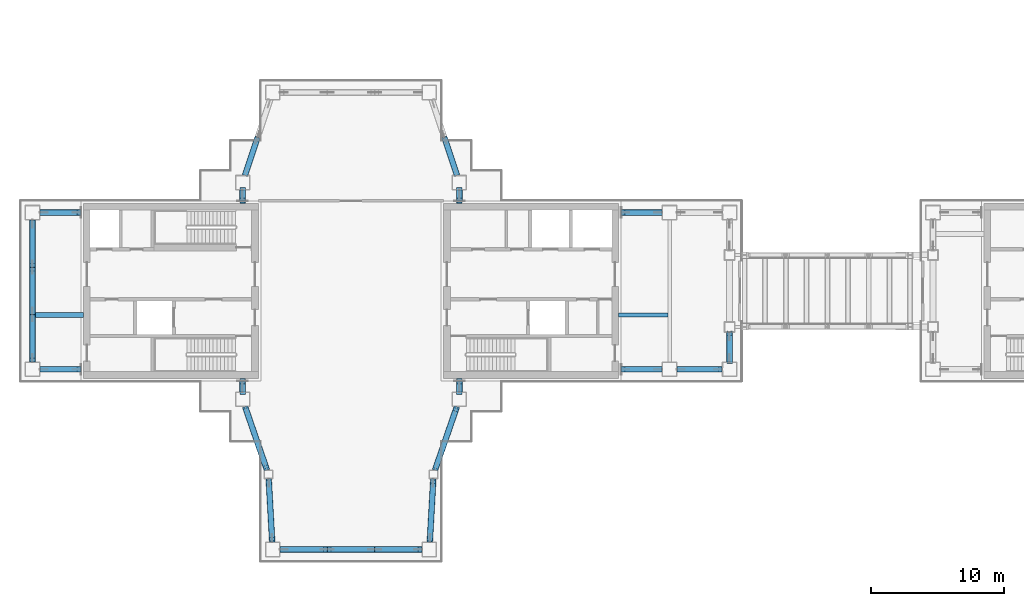
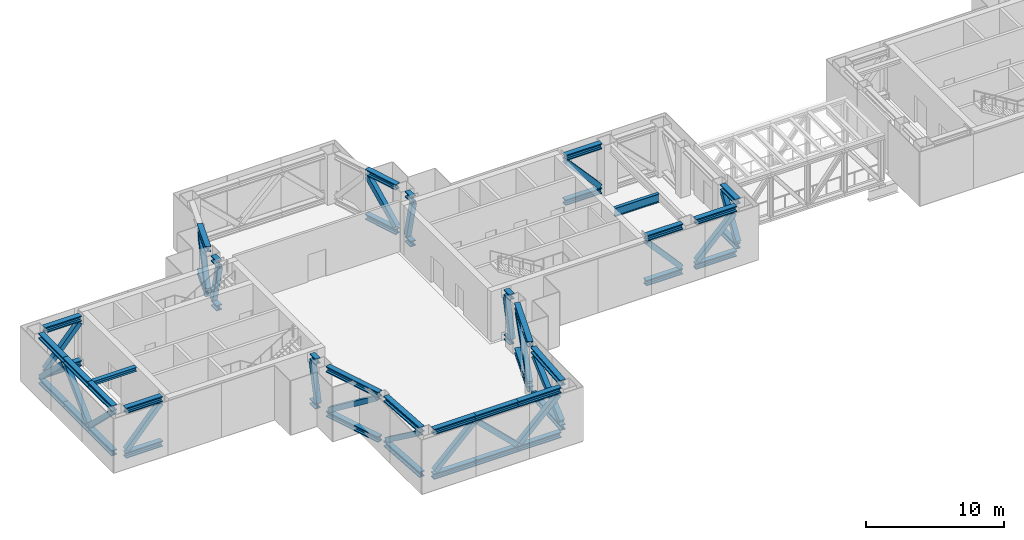
# One storey, part 3 of 21: 66 members, 2 beams.
"""IFC4 building model written with IfcOpenShell, lengths in metres."""

from ifc_helpers import new_model, si_unit, direction, frame, origin, origin_2d, place, context, subcontext, project, spatial, hollow_rectangle, i_section, extrude, material, material_profile, profile_set, type_object, element, save


model = new_model("IFC4")

# Units and contexts
model_context = context("Model", 3, precision=1e-05, world=origin(), true_north=direction((0.0, 1.0)))
body_context = subcontext(model_context, "Body", "Model", "MODEL_VIEW")
ifc_project = project(units=[si_unit("LENGTHUNIT", "METRE"), si_unit("AREAUNIT", "SQUARE_METRE"), si_unit("VOLUMEUNIT", "CUBIC_METRE"), si_unit("PLANEANGLEUNIT", "RADIAN"), si_unit("MASSUNIT", "GRAM", prefix="KILO")], contexts=[model_context])

# Site, building, storey
site_placement = place(None, origin())
site = spatial("IfcSite", under=ifc_project, at=site_placement, CompositionType="ELEMENT")
building_placement = place(site_placement, origin())
building = spatial("IfcBuilding", under=site, at=building_placement, Name="Shamsa Quay Exchange Towers", CompositionType="ELEMENT")
storey_placement = place(building_placement, frame((0.0, 0.0, 177.89990234375)))
storey = spatial("IfcBuildingStorey", under=building, at=storey_placement, Name="L42", CompositionType="ELEMENT", Elevation=177.89990234375)

# Members
ifc_material = material(Name="Steel S355", Category="steel")
ifc_material_profile_1 = material_profile(ifc_material, i_section(OverallWidth=0.43212890625, OverallDepth=0.497802734375, WebThickness=0.0556640625, FlangeThickness=0.0888671875, at=origin_2d()), Name="W14x500")
ifc_profile_set_1 = profile_set([ifc_material_profile_1], Name="Steel S355")
member_type_1 = type_object("IfcMemberType", Name="Belt chord W14x500", PredefinedType="CHORD", material=ifc_profile_set_1)
for number, where, z_axis, x_axis, name in (
    (1, (-41.685546875, -8.675048828125, 4.201171875), (0.325644702395, -0.945492214565, 0.0), (0.945492214565, 0.325644702395, 0.0), "Belt truss chord T1 L42 3"),
    (2, (-41.685546875, -8.675048828125, 0.2490234375), (0.325644702395, -0.945492214565, 0.0), (0.945492214565, 0.325644702395, 0.0), "Belt truss chord T1 L42 3"),
):
    element("IfcMember", number, at=place(storey_placement, frame(where, z_axis=z_axis, x_axis=x_axis)), inside=storey, type_object=member_type_1, Name=name, PredefinedType="CHORD", context=body_context, shape_type="SweptSolid", body=[
        extrude(i_section(OverallWidth=0.43212890625, OverallDepth=0.497802734375, WebThickness=0.0556640625, FlangeThickness=0.0888671875, at=origin_2d()), origin(), (0.0, 0.0, 1.0), 5.02392578125),
    ])
for number, where, z_axis, x_axis, name in (
    (3, (-39.91943359375, -14.074951171875, 4.201171875), (0.055475704174, -0.998460037381, 0.0), (0.998460037381, 0.055475704174, 0.0), "Belt truss chord T1 L42 4"),
    (4, (-39.91943359375, -14.074951171875, 0.2490234375), (0.055475704174, -0.998460037381, 0.0), (0.998460037381, 0.055475704174, 0.0), "Belt truss chord T1 L42 4"),
):
    element("IfcMember", number, at=place(storey_placement, frame(where, z_axis=z_axis, x_axis=x_axis)), inside=storey, type_object=member_type_1, Name=name, PredefinedType="CHORD", context=body_context, shape_type="SweptSolid", body=[
        extrude(i_section(OverallWidth=0.43212890625, OverallDepth=0.497802734375, WebThickness=0.0556640625, FlangeThickness=0.0888671875, at=origin_2d()), origin(), (0.0, 0.0, 1.0), 4.75732421875),
    ])
for number, where, z_axis, x_axis, name in (
    (5, (-39.074951171875, -19.375, 4.201171875), (1.0, 0.0, 0.0), (0.0, 1.0, 0.0), "Belt truss chord T1 L42 5"),
    (6, (-39.074951171875, -19.375, 0.2490234375), (1.0, 0.0, 0.0), (0.0, 1.0, 0.0), "Belt truss chord T1 L42 5"),
):
    element("IfcMember", number, at=place(storey_placement, frame(where, z_axis=z_axis, x_axis=x_axis)), inside=storey, type_object=member_type_1, Name=name, PredefinedType="CHORD", context=body_context, shape_type="SweptSolid", body=[
        extrude(i_section(OverallWidth=0.43212890625, OverallDepth=0.497802734375, WebThickness=0.0556640625, FlangeThickness=0.0888671875, at=origin_2d()), origin(), (0.0, 0.0, 1.0), 3.550048828125),
    ])
for number, where, z_axis, x_axis, name in (
    (7, (-35.52490234375, -19.375, 4.201171875), (1.0, 0.0, 0.0), (0.0, 1.0, 0.0), "Belt truss chord T1 L42 5"),
    (8, (-35.52490234375, -19.375, 0.2490234375), (1.0, 0.0, 0.0), (0.0, 1.0, 0.0), "Belt truss chord T1 L42 5"),
):
    element("IfcMember", number, at=place(storey_placement, frame(where, z_axis=z_axis, x_axis=x_axis)), inside=storey, type_object=member_type_1, Name=name, PredefinedType="CHORD", context=body_context, shape_type="SweptSolid", body=[
        extrude(i_section(OverallWidth=0.43212890625, OverallDepth=0.497802734375, WebThickness=0.0556640625, FlangeThickness=0.0888671875, at=origin_2d()), origin(), (0.0, 0.0, 1.0), 3.5498046875),
    ])
for number, where, z_axis, x_axis, name in (
    (9, (-31.97509765625, -19.375, 4.201171875), (1.0, 0.0, 0.0), (0.0, 1.0, 0.0), "Belt truss chord T1 L42 5"),
    (10, (-31.97509765625, -19.375, 0.2490234375), (1.0, 0.0, 0.0), (0.0, 1.0, 0.0), "Belt truss chord T1 L42 5"),
):
    element("IfcMember", number, at=place(storey_placement, frame(where, z_axis=z_axis, x_axis=x_axis)), inside=storey, type_object=member_type_1, Name=name, PredefinedType="CHORD", context=body_context, shape_type="SweptSolid", body=[
        extrude(i_section(OverallWidth=0.43212890625, OverallDepth=0.497802734375, WebThickness=0.0556640625, FlangeThickness=0.0888671875, at=origin_2d()), origin(), (0.0, 0.0, 1.0), 3.550048828125),
    ])
for number, where, z_axis, x_axis, name in (
    (11, (-27.844482421875, -18.824951171875, 4.201171875), (0.055475704174, 0.998460037381, 0.0), (-0.998460037381, 0.055475704174, 0.0), "Belt truss chord T1 L42 6"),
    (12, (-27.844482421875, -18.824951171875, 0.2490234375), (0.055475704174, 0.998460037381, 0.0), (-0.998460037381, 0.055475704174, 0.0), "Belt truss chord T1 L42 6"),
):
    element("IfcMember", number, at=place(storey_placement, frame(where, z_axis=z_axis, x_axis=x_axis)), inside=storey, type_object=member_type_1, Name=name, PredefinedType="CHORD", context=body_context, shape_type="SweptSolid", body=[
        extrude(i_section(OverallWidth=0.43212890625, OverallDepth=0.497802734375, WebThickness=0.0556640625, FlangeThickness=0.0888671875, at=origin_2d()), origin(), (0.0, 0.0, 1.0), 4.75732421875),
    ])
for number, where, z_axis, x_axis, name in (
    (13, (-27.450439453125, -13.425048828125, 4.201171875), (0.325644702395, 0.945492214565, 0.0), (-0.945492214565, 0.325644702395, 0.0), "Belt truss chord T1 L42 7"),
    (14, (-27.450439453125, -13.425048828125, 0.2490234375), (0.325644702395, 0.945492214565, 0.0), (-0.945492214565, 0.325644702395, 0.0), "Belt truss chord T1 L42 7"),
):
    element("IfcMember", number, at=place(storey_placement, frame(where, z_axis=z_axis, x_axis=x_axis)), inside=storey, type_object=member_type_1, Name=name, PredefinedType="CHORD", context=body_context, shape_type="SweptSolid", body=[
        extrude(i_section(OverallWidth=0.43212890625, OverallDepth=0.497802734375, WebThickness=0.0556640625, FlangeThickness=0.0888671875, at=origin_2d()), origin(), (0.0, 0.0, 1.0), 5.02392578125),
    ])
for number, where, z_axis, x_axis, name in (
    (15, (-9.324951171875, -5.875, 4.201171875), (1.0, 0.0, 0.0), (0.0, 1.0, 0.0), "Belt truss chord T1 L42 10"),
    (16, (-9.324951171875, -5.875, 0.2490234375), (1.0, 0.0, 0.0), (0.0, 1.0, 0.0), "Belt truss chord T1 L42 10"),
):
    element("IfcMember", number, at=place(storey_placement, frame(where, z_axis=z_axis, x_axis=x_axis)), inside=storey, type_object=member_type_1, Name=name, PredefinedType="CHORD", context=body_context, shape_type="SweptSolid", body=[
        extrude(i_section(OverallWidth=0.43212890625, OverallDepth=0.497802734375, WebThickness=0.0556640625, FlangeThickness=0.0888671875, at=origin_2d()), origin(), (0.0, 0.0, 1.0), 3.39990234375),
    ])
for number, where, z_axis, x_axis, name in (
    (17, (-5.375, -5.324951171875, 4.201171875), (0.0, 1.0, 0.0), (-1.0, 0.0, 0.0), "Belt truss chord T1 L42 11"),
    (18, (-5.375, -5.324951171875, 0.2490234375), (0.0, 1.0, 0.0), (-1.0, 0.0, 0.0), "Belt truss chord T1 L42 11"),
):
    element("IfcMember", number, at=place(storey_placement, frame(where, z_axis=z_axis, x_axis=x_axis)), inside=storey, type_object=member_type_1, Name=name, PredefinedType="CHORD", context=body_context, shape_type="SweptSolid", body=[
        extrude(i_section(OverallWidth=0.43212890625, OverallDepth=0.497802734375, WebThickness=0.0556640625, FlangeThickness=0.0888671875, at=origin_2d()), origin(), (0.0, 0.0, 1.0), 2.224853515625),
    ])
for number, where, z_axis, x_axis, name in (
    (19, (-25.808349609375, 8.675048828125, 4.201171875), (-0.316227766017, 0.948683298051, 0.0), (-0.948683298051, -0.316227766017, 0.0), "Belt truss chord T1 L42 17"),
    (20, (-25.808349609375, 8.675048828125, 0.2490234375), (-0.316227766017, 0.948683298051, 0.0), (-0.948683298051, -0.316227766017, 0.0), "Belt truss chord T1 L42 17"),
    (21, (-40.75, 11.5, 4.201171875), (-0.316227766017, -0.948683298051, 0.0), (0.948683298051, -0.316227766017, 0.0), "Belt truss chord T1 L42 19"),
    (22, (-40.75, 11.5, 0.2490234375), (-0.316227766017, -0.948683298051, 0.0), (0.948683298051, -0.316227766017, 0.0), "Belt truss chord T1 L42 19"),
):
    element("IfcMember", number, at=place(storey_placement, frame(where, z_axis=z_axis, x_axis=x_axis)), inside=storey, type_object=member_type_1, Name=name, PredefinedType="CHORD", context=body_context, shape_type="SweptSolid", body=[
        extrude(i_section(OverallWidth=0.43212890625, OverallDepth=0.497802734375, WebThickness=0.0556640625, FlangeThickness=0.0888671875, at=origin_2d()), origin(), (0.0, 0.0, 1.0), 2.977783203125),
    ])
for number, where, z_axis, x_axis, name in (
    (23, (-57.625, 5.324951171875, 4.201171875), (0.0, -1.0, 0.0), (1.0, 0.0, 0.0), "Belt truss chord T1 L42 22"),
    (24, (-57.625, 5.324951171875, 0.2490234375), (0.0, -1.0, 0.0), (1.0, 0.0, 0.0), "Belt truss chord T1 L42 22"),
):
    element("IfcMember", number, at=place(storey_placement, frame(where, z_axis=z_axis, x_axis=x_axis)), inside=storey, type_object=member_type_1, Name=name, PredefinedType="CHORD", context=body_context, shape_type="SweptSolid", body=[
        extrude(i_section(OverallWidth=0.43212890625, OverallDepth=0.497802734375, WebThickness=0.0556640625, FlangeThickness=0.0888671875, at=origin_2d()), origin(), (0.0, 0.0, 1.0), 3.550048828125),
    ])
for number, where, z_axis, x_axis, name in (
    (25, (-57.625, 1.77490234375, 4.201171875), (0.0, -1.0, 0.0), (1.0, 0.0, 0.0), "Belt truss chord T1 L42 22"),
    (26, (-57.625, 1.77490234375, 0.2490234375), (0.0, -1.0, 0.0), (1.0, 0.0, 0.0), "Belt truss chord T1 L42 22"),
):
    element("IfcMember", number, at=place(storey_placement, frame(where, z_axis=z_axis, x_axis=x_axis)), inside=storey, type_object=member_type_1, Name=name, PredefinedType="CHORD", context=body_context, shape_type="SweptSolid", body=[
        extrude(i_section(OverallWidth=0.43212890625, OverallDepth=0.497802734375, WebThickness=0.0556640625, FlangeThickness=0.0888671875, at=origin_2d()), origin(), (0.0, 0.0, 1.0), 3.5498046875),
    ])
for number, where, z_axis, x_axis, name in (
    (27, (-57.625, -1.77490234375, 4.201171875), (0.0, -1.0, 0.0), (1.0, 0.0, 0.0), "Belt truss chord T1 L42 22"),
    (28, (-57.625, -1.77490234375, 0.2490234375), (0.0, -1.0, 0.0), (1.0, 0.0, 0.0), "Belt truss chord T1 L42 22"),
):
    element("IfcMember", number, at=place(storey_placement, frame(where, z_axis=z_axis, x_axis=x_axis)), inside=storey, type_object=member_type_1, Name=name, PredefinedType="CHORD", context=body_context, shape_type="SweptSolid", body=[
        extrude(i_section(OverallWidth=0.43212890625, OverallDepth=0.497802734375, WebThickness=0.0556640625, FlangeThickness=0.0888671875, at=origin_2d()), origin(), (0.0, 0.0, 1.0), 3.550048828125),
    ])
ifc_material_profile_2 = material_profile(ifc_material, hollow_rectangle(XDim=0.406494140625, YDim=0.406494140625, WallThickness=0.015869140625, at=origin_2d()), Name="HSS16x16x5/8")
ifc_profile_set_2 = profile_set([ifc_material_profile_2], Name="Steel S355")
member_type_2 = type_object("IfcMemberType", Name="Belt diagonal HSS16x16x5/8", PredefinedType="BRACE", material=ifc_profile_set_2)
member_1_placement = place(storey_placement, frame((-41.606201171875, -8.9052734375, 0.665283203125), z_axis=(0.268353303988, -0.779075933751, 0.566592617044), x_axis=(0.945482725754, 0.325672251352, 0.0)))
element("IfcMember", 29, at=member_1_placement, inside=storey, type_object=member_type_2, Name="Belt truss diagonal T1 L42 3", PredefinedType="BRACE", context=body_context, shape_type="SweptSolid", body=[
    extrude(hollow_rectangle(XDim=0.406494140625, YDim=0.406494140625, WallThickness=0.015869140625, at=origin_2d()), origin(), (0.0, 0.0, 1.0), 5.505859375),
])
member_2_placement = place(storey_placement, frame((-39.906982421875, -14.301025390625, 0.662353515625), z_axis=(0.044885601802, -0.807940832433, 0.58755160968), x_axis=(0.998460353205, 0.055470019623, 0.0)))
element("IfcMember", 30, at=member_2_placement, inside=storey, type_object=member_type_2, Name="Belt truss diagonal T1 L42 4", PredefinedType="BRACE", context=body_context, shape_type="SweptSolid", body=[
    extrude(hollow_rectangle(XDim=0.406494140625, YDim=0.406494140625, WallThickness=0.015869140625, at=origin_2d()), origin(), (0.0, 0.0, 1.0), 5.319580078125),
])
member_3_placement = place(storey_placement, frame((-38.92529296875, -19.375, 0.6435546875), z_axis=(0.716702662829, 0.0, 0.697378873421), x_axis=(0.0, 1.0, 0.0)))
element("IfcMember", 31, at=member_3_placement, inside=storey, type_object=member_type_2, Name="Belt truss diagonal T1 L42 5", PredefinedType="BRACE", context=body_context, shape_type="SweptSolid", body=[
    extrude(hollow_rectangle(XDim=0.406494140625, YDim=0.406494140625, WallThickness=0.015869140625, at=origin_2d()), origin(), (0.0, 0.0, 1.0), 4.53564453125),
])
member_4_placement = place(storey_placement, frame((-32.124755859375, -19.375, 0.6435546875), z_axis=(-0.716676483376, 0.0, 0.697405777274), x_axis=(0.0, -1.0, 0.0)))
element("IfcMember", 32, at=member_4_placement, inside=storey, type_object=member_type_2, Name="Belt truss diagonal T1 L42 5", PredefinedType="BRACE", context=body_context, shape_type="SweptSolid", body=[
    extrude(hollow_rectangle(XDim=0.406494140625, YDim=0.406494140625, WallThickness=0.015869140625, at=origin_2d()), origin(), (0.0, 0.0, 1.0), 4.535400390625),
])
member_5_placement = place(storey_placement, frame((-31.825439453125, -19.375, 0.6435546875), z_axis=(0.716702662829, 0.0, 0.697378873421), x_axis=(0.0, 1.0, 0.0)))
element("IfcMember", 33, at=member_5_placement, inside=storey, type_object=member_type_2, Name="Belt truss diagonal T1 L42 5", PredefinedType="BRACE", context=body_context, shape_type="SweptSolid", body=[
    extrude(hollow_rectangle(XDim=0.406494140625, YDim=0.406494140625, WallThickness=0.015869140625, at=origin_2d()), origin(), (0.0, 0.0, 1.0), 4.53564453125),
])
member_6_placement = place(storey_placement, frame((-27.831787109375, -18.598876953125, 0.662353515625), z_axis=(0.044885601802, 0.807940832433, 0.58755160968), x_axis=(-0.998460353205, 0.055470019623, 0.0)))
element("IfcMember", 34, at=member_6_placement, inside=storey, type_object=member_type_2, Name="Belt truss diagonal T1 L42 6", PredefinedType="BRACE", context=body_context, shape_type="SweptSolid", body=[
    extrude(hollow_rectangle(XDim=0.406494140625, YDim=0.406494140625, WallThickness=0.015869140625, at=origin_2d()), origin(), (0.0, 0.0, 1.0), 5.319580078125),
])
member_7_placement = place(storey_placement, frame((-27.371337890625, -13.19482421875, 0.665283203125), z_axis=(0.268353303988, 0.779075933751, 0.566592617044), x_axis=(-0.945482725754, 0.325672251352, 0.0)))
element("IfcMember", 35, at=member_7_placement, inside=storey, type_object=member_type_2, Name="Belt truss diagonal T1 L42 7", PredefinedType="BRACE", context=body_context, shape_type="SweptSolid", body=[
    extrude(hollow_rectangle(XDim=0.406494140625, YDim=0.406494140625, WallThickness=0.015869140625, at=origin_2d()), origin(), (0.0, 0.0, 1.0), 5.505859375),
])
member_8_placement = place(storey_placement, frame((-9.184814453125, -5.875, 0.640380859375), z_axis=(0.701485026186, 0.0, 0.712684192358), x_axis=(0.0, 1.0, 0.0)))
element("IfcMember", 36, at=member_8_placement, inside=storey, type_object=member_type_2, Name="Belt truss diagonal T1 L42 10", PredefinedType="BRACE", context=body_context, shape_type="SweptSolid", body=[
    extrude(hollow_rectangle(XDim=0.406494140625, YDim=0.406494140625, WallThickness=0.015869140625, at=origin_2d()), origin(), (0.0, 0.0, 1.0), 4.447265625),
])
member_9_placement = place(storey_placement, frame((-5.375, -5.254150390625, 0.60791015625), z_axis=(0.0, 0.541495064821, 0.840703928131), x_axis=(-1.0, 0.0, 0.0)))
element("IfcMember", 37, at=member_9_placement, inside=storey, type_object=member_type_2, Name="Belt truss diagonal T1 L42 11", PredefinedType="BRACE", context=body_context, shape_type="SweptSolid", body=[
    extrude(hollow_rectangle(XDim=0.406494140625, YDim=0.406494140625, WallThickness=0.015869140625, at=origin_2d()), origin(), (0.0, 0.0, 1.0), 3.84716796875),
])
for number, where, z_axis, x_axis, name in (
    (38, (-25.844482421875, 8.783447265625, 0.630615234375), (-0.206483170134, 0.619449510403, 0.757394880173), (-0.948683298051, -0.316227766017, 0.0), "Belt truss diagonal T1 L42 17"),
    (39, (-41.655517578125, 8.783447265625, 0.630615234375), (0.206483170134, 0.619449510403, 0.757394880173), (-0.948683298051, 0.316227766017, 0.0), "Belt truss diagonal T1 L42 19"),
):
    element("IfcMember", number, at=place(storey_placement, frame(where, z_axis=z_axis, x_axis=x_axis)), inside=storey, type_object=member_type_2, Name=name, PredefinedType="BRACE", context=body_context, shape_type="SweptSolid", body=[
        extrude(hollow_rectangle(XDim=0.406494140625, YDim=0.406494140625, WallThickness=0.015869140625, at=origin_2d()), origin(), (0.0, 0.0, 1.0), 4.21044921875),
    ])
member_10_placement = place(storey_placement, frame((-57.625, 5.17529296875, 0.6435546875), z_axis=(0.0, -0.716702662829, 0.697378873421), x_axis=(1.0, 0.0, 0.0)))
element("IfcMember", 40, at=member_10_placement, inside=storey, type_object=member_type_2, Name="Belt truss diagonal T1 L42 22", PredefinedType="BRACE", context=body_context, shape_type="SweptSolid", body=[
    extrude(hollow_rectangle(XDim=0.406494140625, YDim=0.406494140625, WallThickness=0.015869140625, at=origin_2d()), origin(), (0.0, 0.0, 1.0), 4.53564453125),
])
member_11_placement = place(storey_placement, frame((-57.625, -1.625244140625, 0.6435546875), z_axis=(0.0, 0.716676483376, 0.697405777274), x_axis=(-1.0, 0.0, 0.0)))
element("IfcMember", 41, at=member_11_placement, inside=storey, type_object=member_type_2, Name="Belt truss diagonal T1 L42 22", PredefinedType="BRACE", context=body_context, shape_type="SweptSolid", body=[
    extrude(hollow_rectangle(XDim=0.406494140625, YDim=0.406494140625, WallThickness=0.015869140625, at=origin_2d()), origin(), (0.0, 0.0, 1.0), 4.535400390625),
])
member_12_placement = place(storey_placement, frame((-57.625, -1.924560546875, 0.6435546875), z_axis=(0.0, -0.716702662829, 0.697378873421), x_axis=(1.0, 0.0, 0.0)))
element("IfcMember", 42, at=member_12_placement, inside=storey, type_object=member_type_2, Name="Belt truss diagonal T1 L42 22", PredefinedType="BRACE", context=body_context, shape_type="SweptSolid", body=[
    extrude(hollow_rectangle(XDim=0.406494140625, YDim=0.406494140625, WallThickness=0.015869140625, at=origin_2d()), origin(), (0.0, 0.0, 1.0), 4.53564453125),
])

# Beams
ifc_material_profile_3 = material_profile(ifc_material, i_section(OverallWidth=0.368896484375, OverallDepth=0.356201171875, WebThickness=0.01123046875, FlangeThickness=0.01806640625, at=origin_2d()), Name="W14x90")
ifc_profile_set_3 = profile_set([ifc_material_profile_3], Name="Steel S355")
beam_type_1 = type_object("IfcBeamType", Name="End-zone beam W14x90", PredefinedType="BEAM", material=ifc_profile_set_3)
beam_1_placement = place(storey_placement, frame((-53.800048828125, -1.800048828125, 4.27197265625), z_axis=(-1.0, 0.0, 0.0), x_axis=(0.0, -1.0, 0.0)))
element("IfcBeam", 43, at=beam_1_placement, inside=storey, type_object=beam_type_1, Name="Spine beam T1 U- end zone L42", PredefinedType="BEAM", context=body_context, shape_type="SweptSolid", body=[
    extrude(i_section(OverallWidth=0.368896484375, OverallDepth=0.356201171875, WebThickness=0.01123046875, FlangeThickness=0.01806640625, at=origin_2d()), origin(), (0.0, 0.0, 1.0), 3.60888671875),
])
ifc_material_profile_4 = material_profile(ifc_material, i_section(OverallWidth=0.26611328125, OverallDepth=0.7578125, WebThickness=0.013916015625, FlangeThickness=0.019287109375, at=origin_2d()), Name="W30x108")
ifc_profile_set_4 = profile_set([ifc_material_profile_4], Name="Steel S355")
beam_type_2 = type_object("IfcBeamType", Name="End-zone beam W30x108", PredefinedType="BEAM", material=ifc_profile_set_4)
beam_2_placement = place(storey_placement, frame((-13.699951171875, -1.800048828125, 4.0712890625), z_axis=(1.0, 0.0, 0.0), x_axis=(0.0, 1.0, 0.0)))
element("IfcBeam", 44, at=beam_2_placement, inside=storey, type_object=beam_type_2, Name="Spine beam T1 U+ end zone L42", PredefinedType="BEAM", context=body_context, shape_type="SweptSolid", body=[
    extrude(i_section(OverallWidth=0.26611328125, OverallDepth=0.7578125, WebThickness=0.013916015625, FlangeThickness=0.019287109375, at=origin_2d()), origin(), (0.0, 0.0, 1.0), 3.69189453125),
])

# Members
ifc_material_profile_5 = material_profile(ifc_material, i_section(OverallWidth=0.43212890625, OverallDepth=0.497802734375, WebThickness=0.0556640625, FlangeThickness=0.0888671875, at=origin_2d()), Name="W14x500")
ifc_profile_set_5 = profile_set([ifc_material_profile_5], Name="Steel S355")
member_type_3 = type_object("IfcMemberType", Name="Outrigger chord W14x500", PredefinedType="CHORD", material=ifc_profile_set_5)
for number, where, z_axis, x_axis, name in (
    (45, (-57.074951171875, -5.875, 4.201171875), (1.0, 0.0, 0.0), (0.0, 1.0, 0.0), "Outrigger truss chord T1 L42 1"),
    (46, (-57.074951171875, -5.875, 0.2490234375), (1.0, 0.0, 0.0), (0.0, 1.0, 0.0), "Outrigger truss chord T1 L42 1"),
):
    element("IfcMember", number, at=place(storey_placement, frame(where, z_axis=z_axis, x_axis=x_axis)), inside=storey, type_object=member_type_3, Name=name, PredefinedType="CHORD", context=body_context, shape_type="SweptSolid", body=[
        extrude(i_section(OverallWidth=0.43212890625, OverallDepth=0.497802734375, WebThickness=0.0556640625, FlangeThickness=0.0888671875, at=origin_2d()), origin(), (0.0, 0.0, 1.0), 3.074951171875),
    ])
for number, where, z_axis, x_axis, name in (
    (47, (-41.875, -7.574951171875, 4.201171875), (0.0, 1.0, 0.0), (-1.0, 0.0, 0.0), "Outrigger truss chord T1 L42 2"),
    (48, (-41.875, -7.574951171875, 0.2490234375), (0.0, 1.0, 0.0), (-1.0, 0.0, 0.0), "Outrigger truss chord T1 L42 2"),
    (49, (-25.625, -7.574951171875, 4.201171875), (0.0, 1.0, 0.0), (-1.0, 0.0, 0.0), "Outrigger truss chord T1 L42 8"),
    (50, (-25.625, -7.574951171875, 0.2490234375), (0.0, 1.0, 0.0), (-1.0, 0.0, 0.0), "Outrigger truss chord T1 L42 8"),
):
    element("IfcMember", number, at=place(storey_placement, frame(where, z_axis=z_axis, x_axis=x_axis)), inside=storey, type_object=member_type_3, Name=name, PredefinedType="CHORD", context=body_context, shape_type="SweptSolid", body=[
        extrude(i_section(OverallWidth=0.43212890625, OverallDepth=0.497802734375, WebThickness=0.0556640625, FlangeThickness=0.0888671875, at=origin_2d()), origin(), (0.0, 0.0, 1.0), 0.824951171875),
    ])
for number, where, z_axis, x_axis, name in (
    (51, (-10.425048828125, -5.875, 4.201171875), (-1.0, 0.0, 0.0), (0.0, -1.0, 0.0), "Outrigger truss chord T1 L42 9"),
    (52, (-10.425048828125, -5.875, 0.2490234375), (-1.0, 0.0, 0.0), (0.0, -1.0, 0.0), "Outrigger truss chord T1 L42 9"),
    (53, (-10.425048828125, 5.875, 4.201171875), (-1.0, 0.0, 0.0), (0.0, -1.0, 0.0), "Outrigger truss chord T1 L42 15"),
    (54, (-10.425048828125, 5.875, 0.2490234375), (-1.0, 0.0, 0.0), (0.0, -1.0, 0.0), "Outrigger truss chord T1 L42 15"),
):
    element("IfcMember", number, at=place(storey_placement, frame(where, z_axis=z_axis, x_axis=x_axis)), inside=storey, type_object=member_type_3, Name=name, PredefinedType="CHORD", context=body_context, shape_type="SweptSolid", body=[
        extrude(i_section(OverallWidth=0.43212890625, OverallDepth=0.497802734375, WebThickness=0.0556640625, FlangeThickness=0.0888671875, at=origin_2d()), origin(), (0.0, 0.0, 1.0), 3.074951171875),
    ])
for number, where, z_axis, x_axis, name in (
    (55, (-25.625, 7.574951171875, 4.201171875), (0.0, -1.0, 0.0), (1.0, 0.0, 0.0), "Outrigger truss chord T1 L42 16"),
    (56, (-25.625, 7.574951171875, 0.2490234375), (0.0, -1.0, 0.0), (1.0, 0.0, 0.0), "Outrigger truss chord T1 L42 16"),
    (57, (-41.875, 7.574951171875, 4.201171875), (0.0, -1.0, 0.0), (1.0, 0.0, 0.0), "Outrigger truss chord T1 L42 20"),
    (58, (-41.875, 7.574951171875, 0.2490234375), (0.0, -1.0, 0.0), (1.0, 0.0, 0.0), "Outrigger truss chord T1 L42 20"),
):
    element("IfcMember", number, at=place(storey_placement, frame(where, z_axis=z_axis, x_axis=x_axis)), inside=storey, type_object=member_type_3, Name=name, PredefinedType="CHORD", context=body_context, shape_type="SweptSolid", body=[
        extrude(i_section(OverallWidth=0.43212890625, OverallDepth=0.497802734375, WebThickness=0.0556640625, FlangeThickness=0.0888671875, at=origin_2d()), origin(), (0.0, 0.0, 1.0), 0.824951171875),
    ])
for number, where, z_axis, x_axis, name in (
    (59, (-57.074951171875, 5.875, 4.201171875), (1.0, 0.0, 0.0), (0.0, 1.0, 0.0), "Outrigger truss chord T1 L42 21"),
    (60, (-57.074951171875, 5.875, 0.2490234375), (1.0, 0.0, 0.0), (0.0, 1.0, 0.0), "Outrigger truss chord T1 L42 21"),
):
    element("IfcMember", number, at=place(storey_placement, frame(where, z_axis=z_axis, x_axis=x_axis)), inside=storey, type_object=member_type_3, Name=name, PredefinedType="CHORD", context=body_context, shape_type="SweptSolid", body=[
        extrude(i_section(OverallWidth=0.43212890625, OverallDepth=0.497802734375, WebThickness=0.0556640625, FlangeThickness=0.0888671875, at=origin_2d()), origin(), (0.0, 0.0, 1.0), 3.074951171875),
    ])
ifc_material_profile_6 = material_profile(ifc_material, hollow_rectangle(XDim=0.406494140625, YDim=0.406494140625, WallThickness=0.015869140625, at=origin_2d()), Name="HSS16x16x5/8")
ifc_profile_set_6 = profile_set([ifc_material_profile_6], Name="Steel S355")
member_type_4 = type_object("IfcMemberType", Name="Outrigger diagonal HSS16x16x5/8", PredefinedType="BRACE", material=ifc_profile_set_6)
member_13_placement = place(storey_placement, frame((-56.954833984375, -5.875, 0.633056640625), z_axis=(0.664911088094, 0.0, 0.746922516014), x_axis=(0.0, 1.0, 0.0)))
element("IfcMember", 61, at=member_13_placement, inside=storey, type_object=member_type_4, Name="Outrigger truss diagonal T1 L42 1", PredefinedType="BRACE", context=body_context, shape_type="SweptSolid", body=[
    extrude(hollow_rectangle(XDim=0.406494140625, YDim=0.406494140625, WallThickness=0.015869140625, at=origin_2d()), origin(), (0.0, 0.0, 1.0), 4.262939453125),
])
for number, where, z_axis, x_axis, name in (
    (62, (-41.875, -7.563720703125, 0.545166015625), (0.0, 0.232311606124, 0.97264141268), (-1.0, 0.0, 0.0), "Outrigger truss diagonal T1 L42 2"),
    (63, (-25.625, -7.563720703125, 0.545166015625), (0.0, 0.232311606124, 0.97264141268), (-1.0, 0.0, 0.0), "Outrigger truss diagonal T1 L42 8"),
):
    element("IfcMember", number, at=place(storey_placement, frame(where, z_axis=z_axis, x_axis=x_axis)), inside=storey, type_object=member_type_4, Name=name, PredefinedType="BRACE", context=body_context, shape_type="SweptSolid", body=[
        extrude(hollow_rectangle(XDim=0.406494140625, YDim=0.406494140625, WallThickness=0.015869140625, at=origin_2d()), origin(), (0.0, 0.0, 1.0), 3.454345703125),
    ])
for number, where, z_axis, x_axis, name in (
    (64, (-10.545166015625, -5.875, 0.633056640625), (-0.664911088094, 0.0, 0.746922516014), (0.0, -1.0, 0.0), "Outrigger truss diagonal T1 L42 9"),
    (65, (-10.545166015625, 5.875, 0.633056640625), (-0.664911088094, 0.0, 0.746922516014), (0.0, -1.0, 0.0), "Outrigger truss diagonal T1 L42 15"),
):
    element("IfcMember", number, at=place(storey_placement, frame(where, z_axis=z_axis, x_axis=x_axis)), inside=storey, type_object=member_type_4, Name=name, PredefinedType="BRACE", context=body_context, shape_type="SweptSolid", body=[
        extrude(hollow_rectangle(XDim=0.406494140625, YDim=0.406494140625, WallThickness=0.015869140625, at=origin_2d()), origin(), (0.0, 0.0, 1.0), 4.262939453125),
    ])
for number, where, z_axis, x_axis, name in (
    (66, (-25.625, 7.563720703125, 0.545166015625), (0.0, -0.232311606124, 0.97264141268), (1.0, 0.0, 0.0), "Outrigger truss diagonal T1 L42 16"),
    (67, (-41.875, 7.563720703125, 0.545166015625), (0.0, -0.232311606124, 0.97264141268), (1.0, 0.0, 0.0), "Outrigger truss diagonal T1 L42 20"),
):
    element("IfcMember", number, at=place(storey_placement, frame(where, z_axis=z_axis, x_axis=x_axis)), inside=storey, type_object=member_type_4, Name=name, PredefinedType="BRACE", context=body_context, shape_type="SweptSolid", body=[
        extrude(hollow_rectangle(XDim=0.406494140625, YDim=0.406494140625, WallThickness=0.015869140625, at=origin_2d()), origin(), (0.0, 0.0, 1.0), 3.454345703125),
    ])
member_14_placement = place(storey_placement, frame((-56.954833984375, 5.875, 0.633056640625), z_axis=(0.664911088094, 0.0, 0.746922516014), x_axis=(0.0, 1.0, 0.0)))
element("IfcMember", 68, at=member_14_placement, inside=storey, type_object=member_type_4, Name="Outrigger truss diagonal T1 L42 21", PredefinedType="BRACE", context=body_context, shape_type="SweptSolid", body=[
    extrude(hollow_rectangle(XDim=0.406494140625, YDim=0.406494140625, WallThickness=0.015869140625, at=origin_2d()), origin(), (0.0, 0.0, 1.0), 4.262939453125),
])

save(model, "model.ifc")
